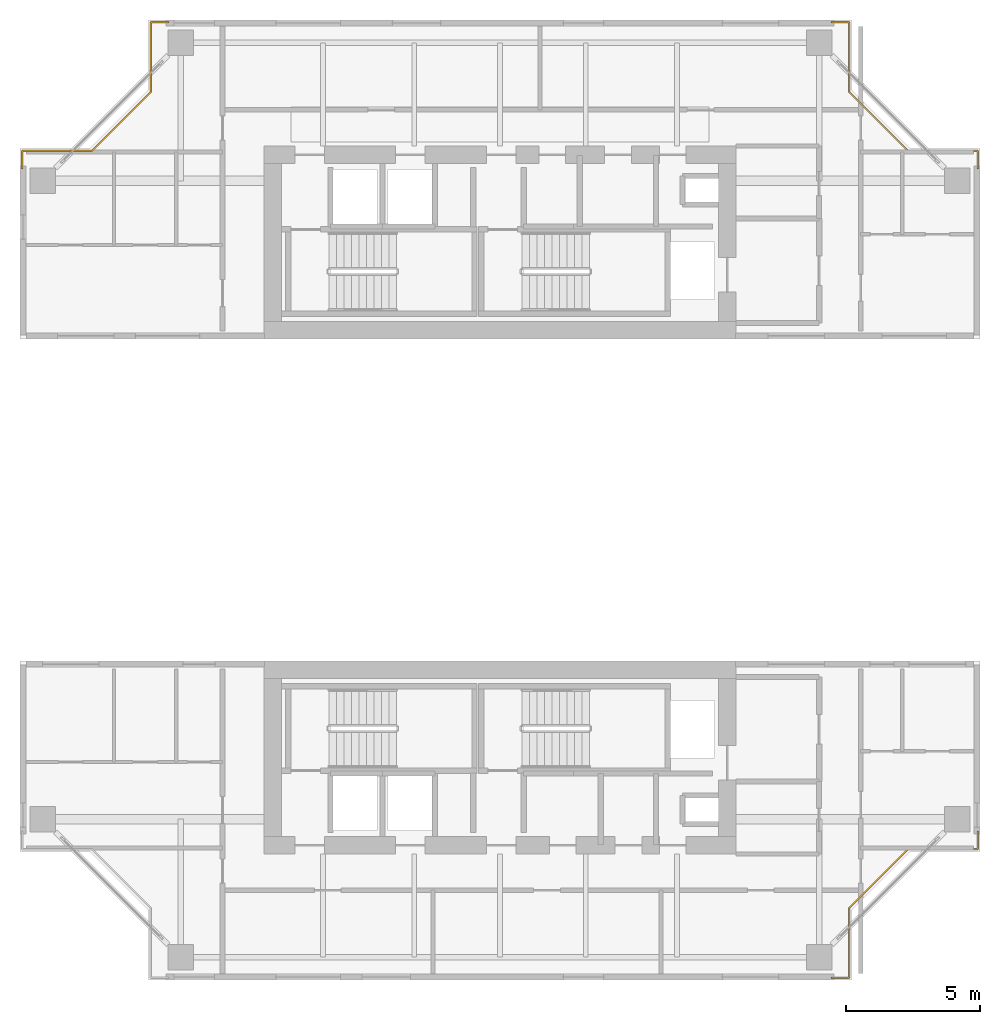
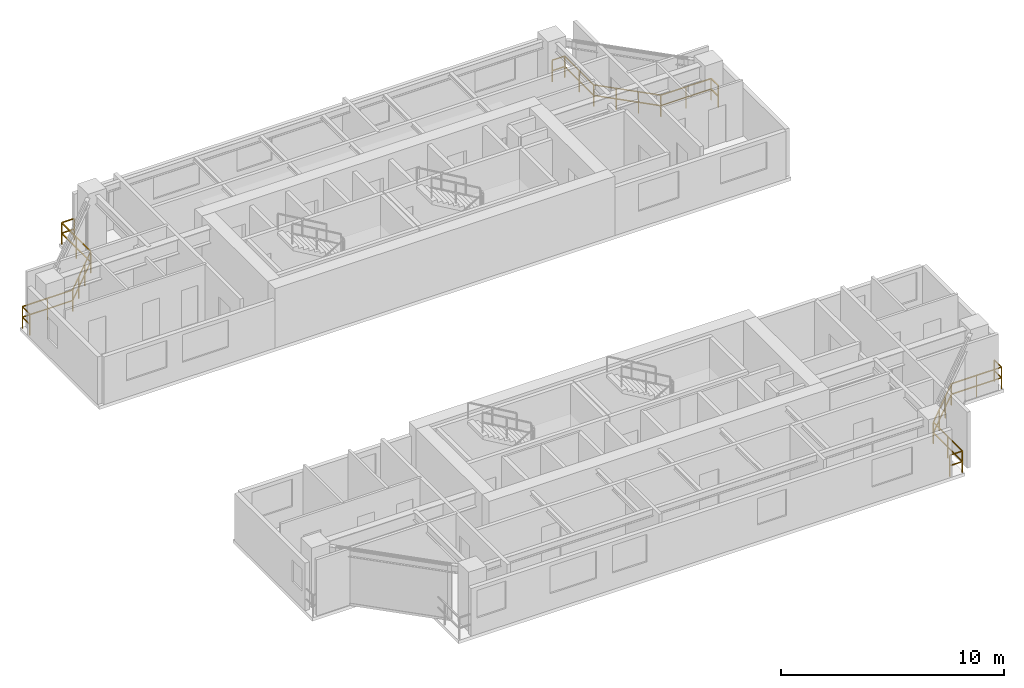
# One storey, part 12 of 12: 3 railings.
"""IFC4 building model written with IfcOpenShell, lengths in metres."""

from ifc_helpers import new_model, si_unit, direction, frame, origin, origin_2d, place, context, subcontext, project, spatial, rectangle, extrude, material, type_object, element, save


model = new_model("IFC4")

# Units and contexts
model_context = context("Model", 3, precision=1e-05, world=origin(), true_north=direction((0.0, 1.0)))
body_context = subcontext(model_context, "Body", "Model", "MODEL_VIEW")
ifc_project = project(units=[si_unit("LENGTHUNIT", "METRE"), si_unit("AREAUNIT", "SQUARE_METRE"), si_unit("VOLUMEUNIT", "CUBIC_METRE"), si_unit("PLANEANGLEUNIT", "RADIAN"), si_unit("MASSUNIT", "GRAM", prefix="KILO"), si_unit("THERMODYNAMICTEMPERATUREUNIT", "KELVIN"), si_unit("POWERUNIT", "WATT")], contexts=[model_context])

# Site, building, storey
site_placement = place(None, origin())
site = spatial("IfcSite", under=ifc_project, at=site_placement, CompositionType="ELEMENT")
building_placement = place(site_placement, origin())
building = spatial("IfcBuilding", under=site, at=building_placement, Name="Qiaomeng Ring Towers", CompositionType="ELEMENT")
storey_placement = place(building_placement, frame((0.0, 0.0, 160.0)))
storey = spatial("IfcBuildingStorey", under=building, at=storey_placement, Name="L46", CompositionType="ELEMENT", Elevation=160.0)

# Railings
ifc_material = material(Name="Low-E pale-green laminated safety glass", Category="glass")
railing_type = type_object("IfcRailingType", Name="ARC-RL-BAL1", PredefinedType="BALUSTRADE", material=ifc_material)
railing_1_placement = place(storey_placement, frame((31.3701171875, 5.179931640625, 0.0)))
element("IfcRailing", 1, at=railing_1_placement, inside=storey, type_object=railing_type, Name="L46 Balustrade ARC-BAL-NOTCH1-L46-SE", PredefinedType="BALUSTRADE", context=body_context, shape_type="SweptSolid", body=[
    extrude(rectangle(XDim=0.048095703125, YDim=0.048095703125, at=origin_2d()), frame((0.0, 0.0, 1.17578125), z_axis=(1.0, 0.0, 0.0), x_axis=(0.0, 1.0, 0.0)), (0.0, 0.0, 1.0), 0.64990234375),
    extrude(rectangle(XDim=0.048095703125, YDim=0.048095703125, at=origin_2d()), frame((0.0, 0.0, 0.60009765625), z_axis=(1.0, 0.0, 0.0), x_axis=(0.0, 1.0, 0.0)), (0.0, 0.0, 1.0), 0.64990234375),
    extrude(rectangle(XDim=0.048095703125, YDim=0.048095703125, at=origin_2d()), frame((0.64990234375, 0.0, 1.17578125), z_axis=(0.0, 1.0, 0.0), x_axis=(-1.0, 0.0, 0.0)), (0.0, 0.0, 1.0), 2.60009765625),
    extrude(rectangle(XDim=0.048095703125, YDim=0.048095703125, at=origin_2d()), frame((0.64990234375, 0.0, 0.60009765625), z_axis=(0.0, 1.0, 0.0), x_axis=(-1.0, 0.0, 0.0)), (0.0, 0.0, 1.0), 2.60009765625),
    extrude(rectangle(XDim=0.048095703125, YDim=0.048095703125, at=origin_2d()), frame((0.64990234375, 2.60009765625, 1.17578125), z_axis=(0.707106781187, 0.707106781187, 0.0), x_axis=(-0.707106781187, 0.707106781187, 0.0)), (0.0, 0.0, 1.0), 3.111083984375),
    extrude(rectangle(XDim=0.048095703125, YDim=0.048095703125, at=origin_2d()), frame((0.64990234375, 2.60009765625, 0.60009765625), z_axis=(0.707106781187, 0.707106781187, 0.0), x_axis=(-0.707106781187, 0.707106781187, 0.0)), (0.0, 0.0, 1.0), 3.111083984375),
    extrude(rectangle(XDim=0.048095703125, YDim=0.048095703125, at=origin_2d()), frame((2.849853515625, 4.800048828125, 1.17578125), z_axis=(1.0, 0.0, 0.0), x_axis=(0.0, 1.0, 0.0)), (0.0, 0.0, 1.0), 2.60009765625),
    extrude(rectangle(XDim=0.048095703125, YDim=0.048095703125, at=origin_2d()), frame((2.849853515625, 4.800048828125, 0.60009765625), z_axis=(1.0, 0.0, 0.0), x_axis=(0.0, 1.0, 0.0)), (0.0, 0.0, 1.0), 2.60009765625),
    extrude(rectangle(XDim=0.048095703125, YDim=0.048095703125, at=origin_2d()), frame((5.449951171875, 4.800048828125, 1.17578125), z_axis=(0.0, 1.0, 0.0), x_axis=(-1.0, 0.0, 0.0)), (0.0, 0.0, 1.0), 0.64990234375),
    extrude(rectangle(XDim=0.048095703125, YDim=0.048095703125, at=origin_2d()), frame((5.449951171875, 4.800048828125, 0.60009765625), z_axis=(0.0, 1.0, 0.0), x_axis=(-1.0, 0.0, 0.0)), (0.0, 0.0, 1.0), 0.64990234375),
    extrude(rectangle(XDim=0.0419921875, YDim=0.0419921875, at=origin_2d()), origin(), (0.0, 0.0, 1.0), 1.15185546875),
    extrude(rectangle(XDim=0.0419921875, YDim=0.0419921875, at=origin_2d()), frame((0.64990234375, 0.0, 0.0)), (0.0, 0.0, 1.0), 1.15185546875),
    extrude(rectangle(XDim=0.0419921875, YDim=0.0419921875, at=origin_2d()), frame((0.64990234375, 1.300048828125, 0.0)), (0.0, 0.0, 1.0), 1.15185546875),
    extrude(rectangle(XDim=0.0419921875, YDim=0.0419921875, at=origin_2d()), frame((0.64990234375, 2.60009765625, 0.0)), (0.0, 0.0, 1.0), 1.15185546875),
    extrude(rectangle(XDim=0.0419921875, YDim=0.0419921875, at=origin_2d()), frame((1.38330078125, 3.33349609375, 0.0)), (0.0, 0.0, 1.0), 1.15185546875),
    extrude(rectangle(XDim=0.0419921875, YDim=0.0419921875, at=origin_2d()), frame((2.116455078125, 4.066650390625, 0.0)), (0.0, 0.0, 1.0), 1.15185546875),
    extrude(rectangle(XDim=0.0419921875, YDim=0.0419921875, at=origin_2d()), frame((2.849853515625, 4.800048828125, 0.0)), (0.0, 0.0, 1.0), 1.15185546875),
    extrude(rectangle(XDim=0.0419921875, YDim=0.0419921875, at=origin_2d()), frame((4.14990234375, 4.800048828125, 0.0)), (0.0, 0.0, 1.0), 1.15185546875),
    extrude(rectangle(XDim=0.0419921875, YDim=0.0419921875, at=origin_2d()), frame((5.449951171875, 4.800048828125, 0.0)), (0.0, 0.0, 1.0), 1.15185546875),
    extrude(rectangle(XDim=0.0419921875, YDim=0.0419921875, at=origin_2d()), frame((5.449951171875, 5.449951171875, 0.0)), (0.0, 0.0, 1.0), 1.15185546875),
])
railing_2_placement = place(storey_placement, frame((36.820068359375, 35.3701171875, 0.0)))
element("IfcRailing", 2, at=railing_2_placement, inside=storey, type_object=railing_type, Name="L46 Balustrade ARC-BAL-NOTCH1-L46-NE", PredefinedType="BALUSTRADE", context=body_context, shape_type="SweptSolid", body=[
    extrude(rectangle(XDim=0.048095703125, YDim=0.048095703125, at=origin_2d()), frame((0.0, 0.0, 1.17578125), z_axis=(0.0, 1.0, 0.0), x_axis=(-1.0, 0.0, 0.0)), (0.0, 0.0, 1.0), 0.64990234375),
    extrude(rectangle(XDim=0.048095703125, YDim=0.048095703125, at=origin_2d()), frame((0.0, 0.0, 0.60009765625), z_axis=(0.0, 1.0, 0.0), x_axis=(-1.0, 0.0, 0.0)), (0.0, 0.0, 1.0), 0.64990234375),
    extrude(rectangle(XDim=0.048095703125, YDim=0.048095703125, at=origin_2d()), frame((0.0, 0.64990234375, 1.17578125), z_axis=(-1.0, 0.0, 0.0), x_axis=(0.0, -1.0, 0.0)), (0.0, 0.0, 1.0), 2.60009765625),
    extrude(rectangle(XDim=0.048095703125, YDim=0.048095703125, at=origin_2d()), frame((0.0, 0.64990234375, 0.60009765625), z_axis=(-1.0, 0.0, 0.0), x_axis=(0.0, -1.0, 0.0)), (0.0, 0.0, 1.0), 2.60009765625),
    extrude(rectangle(XDim=0.048095703125, YDim=0.048095703125, at=origin_2d()), frame((-2.60009765625, 0.64990234375, 1.17578125), z_axis=(-0.707106781187, 0.707106781187, 0.0), x_axis=(-0.707106781187, -0.707106781187, 0.0)), (0.0, 0.0, 1.0), 3.111083984375),
    extrude(rectangle(XDim=0.048095703125, YDim=0.048095703125, at=origin_2d()), frame((-2.60009765625, 0.64990234375, 0.60009765625), z_axis=(-0.707106781187, 0.707106781187, 0.0), x_axis=(-0.707106781187, -0.707106781187, 0.0)), (0.0, 0.0, 1.0), 3.111083984375),
    extrude(rectangle(XDim=0.048095703125, YDim=0.048095703125, at=origin_2d()), frame((-4.800048828125, 2.849853515625, 1.17578125), z_axis=(0.0, 1.0, 0.0), x_axis=(-1.0, 0.0, 0.0)), (0.0, 0.0, 1.0), 2.60009765625),
    extrude(rectangle(XDim=0.048095703125, YDim=0.048095703125, at=origin_2d()), frame((-4.800048828125, 2.849853515625, 0.60009765625), z_axis=(0.0, 1.0, 0.0), x_axis=(-1.0, 0.0, 0.0)), (0.0, 0.0, 1.0), 2.60009765625),
    extrude(rectangle(XDim=0.048095703125, YDim=0.048095703125, at=origin_2d()), frame((-4.800048828125, 5.449951171875, 1.17578125), z_axis=(-1.0, 0.0, 0.0), x_axis=(0.0, -1.0, 0.0)), (0.0, 0.0, 1.0), 0.64990234375),
    extrude(rectangle(XDim=0.048095703125, YDim=0.048095703125, at=origin_2d()), frame((-4.800048828125, 5.449951171875, 0.60009765625), z_axis=(-1.0, 0.0, 0.0), x_axis=(0.0, -1.0, 0.0)), (0.0, 0.0, 1.0), 0.64990234375),
    extrude(rectangle(XDim=0.0419921875, YDim=0.0419921875, at=origin_2d()), origin(), (0.0, 0.0, 1.0), 1.15185546875),
    extrude(rectangle(XDim=0.0419921875, YDim=0.0419921875, at=origin_2d()), frame((0.0, 0.64990234375, 0.0)), (0.0, 0.0, 1.0), 1.15185546875),
    extrude(rectangle(XDim=0.0419921875, YDim=0.0419921875, at=origin_2d()), frame((-1.300048828125, 0.64990234375, 0.0)), (0.0, 0.0, 1.0), 1.15185546875),
    extrude(rectangle(XDim=0.0419921875, YDim=0.0419921875, at=origin_2d()), frame((-2.60009765625, 0.64990234375, 0.0)), (0.0, 0.0, 1.0), 1.15185546875),
    extrude(rectangle(XDim=0.0419921875, YDim=0.0419921875, at=origin_2d()), frame((-3.33349609375, 1.38330078125, 0.0)), (0.0, 0.0, 1.0), 1.15185546875),
    extrude(rectangle(XDim=0.0419921875, YDim=0.0419921875, at=origin_2d()), frame((-4.066650390625, 2.116455078125, 0.0)), (0.0, 0.0, 1.0), 1.15185546875),
    extrude(rectangle(XDim=0.0419921875, YDim=0.0419921875, at=origin_2d()), frame((-4.800048828125, 2.849853515625, 0.0)), (0.0, 0.0, 1.0), 1.15185546875),
    extrude(rectangle(XDim=0.0419921875, YDim=0.0419921875, at=origin_2d()), frame((-4.800048828125, 4.14990234375, 0.0)), (0.0, 0.0, 1.0), 1.15185546875),
    extrude(rectangle(XDim=0.0419921875, YDim=0.0419921875, at=origin_2d()), frame((-4.800048828125, 5.449951171875, 0.0)), (0.0, 0.0, 1.0), 1.15185546875),
    extrude(rectangle(XDim=0.0419921875, YDim=0.0419921875, at=origin_2d()), frame((-5.449951171875, 5.449951171875, 0.0)), (0.0, 0.0, 1.0), 1.15185546875),
])
railing_3_placement = place(storey_placement, frame((6.6298828125, 40.820068359375, 0.0)))
element("IfcRailing", 3, at=railing_3_placement, inside=storey, type_object=railing_type, Name="L46 Balustrade ARC-BAL-NOTCH1-L46-NW", PredefinedType="BALUSTRADE", context=body_context, shape_type="SweptSolid", body=[
    extrude(rectangle(XDim=0.048095703125, YDim=0.048095703125, at=origin_2d()), frame((0.0, 0.0, 1.17578125), z_axis=(-1.0, 0.0, 0.0), x_axis=(0.0, -1.0, 0.0)), (0.0, 0.0, 1.0), 0.64990234375),
    extrude(rectangle(XDim=0.048095703125, YDim=0.048095703125, at=origin_2d()), frame((0.0, 0.0, 0.60009765625), z_axis=(-1.0, 0.0, 0.0), x_axis=(0.0, -1.0, 0.0)), (0.0, 0.0, 1.0), 0.64990234375),
    extrude(rectangle(XDim=0.048095703125, YDim=0.048095703125, at=origin_2d()), frame((-0.64990234375, 0.0, 1.17578125), z_axis=(0.0, -1.0, 0.0), x_axis=(1.0, 0.0, 0.0)), (0.0, 0.0, 1.0), 2.60009765625),
    extrude(rectangle(XDim=0.048095703125, YDim=0.048095703125, at=origin_2d()), frame((-0.64990234375, 0.0, 0.60009765625), z_axis=(0.0, -1.0, 0.0), x_axis=(1.0, 0.0, 0.0)), (0.0, 0.0, 1.0), 2.60009765625),
    extrude(rectangle(XDim=0.048095703125, YDim=0.048095703125, at=origin_2d()), frame((-0.64990234375, -2.60009765625, 1.17578125), z_axis=(-0.707106781187, -0.707106781187, 0.0), x_axis=(0.707106781187, -0.707106781187, 0.0)), (0.0, 0.0, 1.0), 3.111083984375),
    extrude(rectangle(XDim=0.048095703125, YDim=0.048095703125, at=origin_2d()), frame((-0.64990234375, -2.60009765625, 0.60009765625), z_axis=(-0.707106781187, -0.707106781187, 0.0), x_axis=(0.707106781187, -0.707106781187, 0.0)), (0.0, 0.0, 1.0), 3.111083984375),
    extrude(rectangle(XDim=0.048095703125, YDim=0.048095703125, at=origin_2d()), frame((-2.849853515625, -4.800048828125, 1.17578125), z_axis=(-1.0, 0.0, 0.0), x_axis=(0.0, -1.0, 0.0)), (0.0, 0.0, 1.0), 2.60009765625),
    extrude(rectangle(XDim=0.048095703125, YDim=0.048095703125, at=origin_2d()), frame((-2.849853515625, -4.800048828125, 0.60009765625), z_axis=(-1.0, 0.0, 0.0), x_axis=(0.0, -1.0, 0.0)), (0.0, 0.0, 1.0), 2.60009765625),
    extrude(rectangle(XDim=0.048095703125, YDim=0.048095703125, at=origin_2d()), frame((-5.449951171875, -4.800048828125, 1.17578125), z_axis=(0.0, -1.0, 0.0), x_axis=(1.0, 0.0, 0.0)), (0.0, 0.0, 1.0), 0.64990234375),
    extrude(rectangle(XDim=0.048095703125, YDim=0.048095703125, at=origin_2d()), frame((-5.449951171875, -4.800048828125, 0.60009765625), z_axis=(0.0, -1.0, 0.0), x_axis=(1.0, 0.0, 0.0)), (0.0, 0.0, 1.0), 0.64990234375),
    extrude(rectangle(XDim=0.0419921875, YDim=0.0419921875, at=origin_2d()), origin(), (0.0, 0.0, 1.0), 1.15185546875),
    extrude(rectangle(XDim=0.0419921875, YDim=0.0419921875, at=origin_2d()), frame((-0.64990234375, 0.0, 0.0)), (0.0, 0.0, 1.0), 1.15185546875),
    extrude(rectangle(XDim=0.0419921875, YDim=0.0419921875, at=origin_2d()), frame((-0.64990234375, -1.300048828125, 0.0)), (0.0, 0.0, 1.0), 1.15185546875),
    extrude(rectangle(XDim=0.0419921875, YDim=0.0419921875, at=origin_2d()), frame((-0.64990234375, -2.60009765625, 0.0)), (0.0, 0.0, 1.0), 1.15185546875),
    extrude(rectangle(XDim=0.0419921875, YDim=0.0419921875, at=origin_2d()), frame((-1.38330078125, -3.33349609375, 0.0)), (0.0, 0.0, 1.0), 1.15185546875),
    extrude(rectangle(XDim=0.0419921875, YDim=0.0419921875, at=origin_2d()), frame((-2.116455078125, -4.066650390625, 0.0)), (0.0, 0.0, 1.0), 1.15185546875),
    extrude(rectangle(XDim=0.0419921875, YDim=0.0419921875, at=origin_2d()), frame((-2.849853515625, -4.800048828125, 0.0)), (0.0, 0.0, 1.0), 1.15185546875),
    extrude(rectangle(XDim=0.0419921875, YDim=0.0419921875, at=origin_2d()), frame((-4.14990234375, -4.800048828125, 0.0)), (0.0, 0.0, 1.0), 1.15185546875),
    extrude(rectangle(XDim=0.0419921875, YDim=0.0419921875, at=origin_2d()), frame((-5.449951171875, -4.800048828125, 0.0)), (0.0, 0.0, 1.0), 1.15185546875),
    extrude(rectangle(XDim=0.0419921875, YDim=0.0419921875, at=origin_2d()), frame((-5.449951171875, -5.449951171875, 0.0)), (0.0, 0.0, 1.0), 1.15185546875),
])

save(model, "model.ifc")
